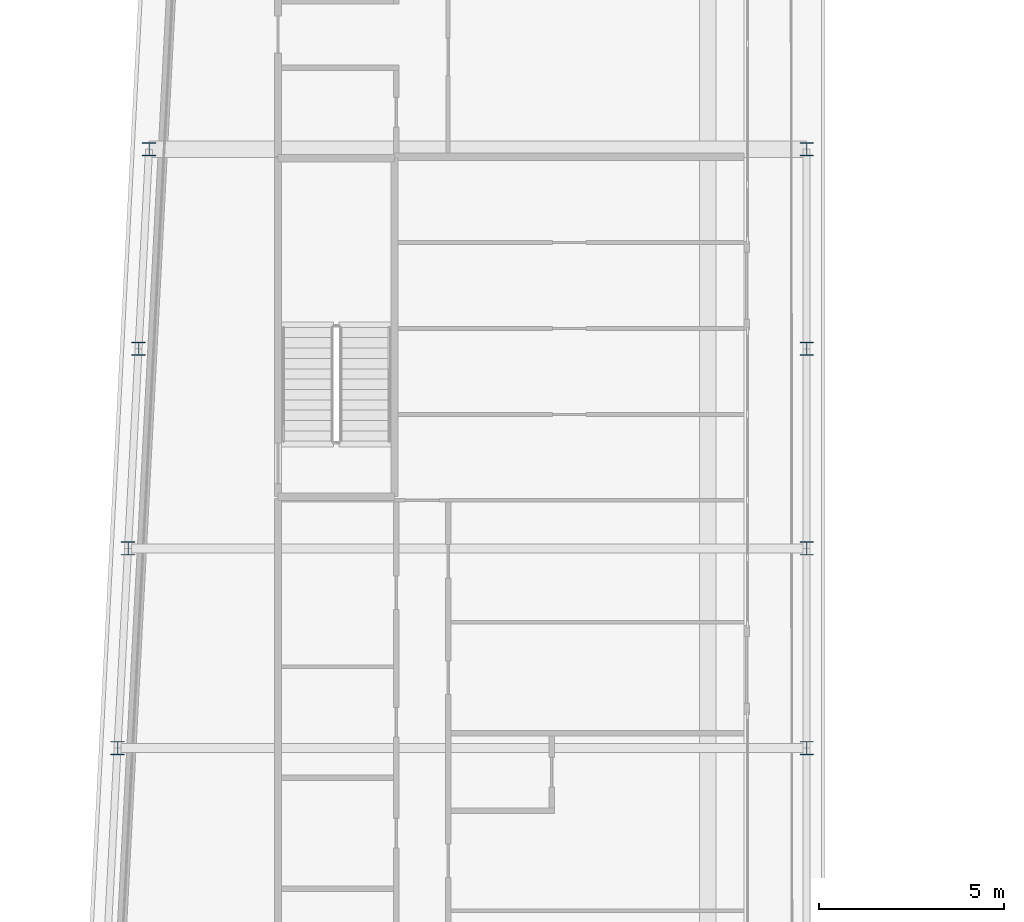
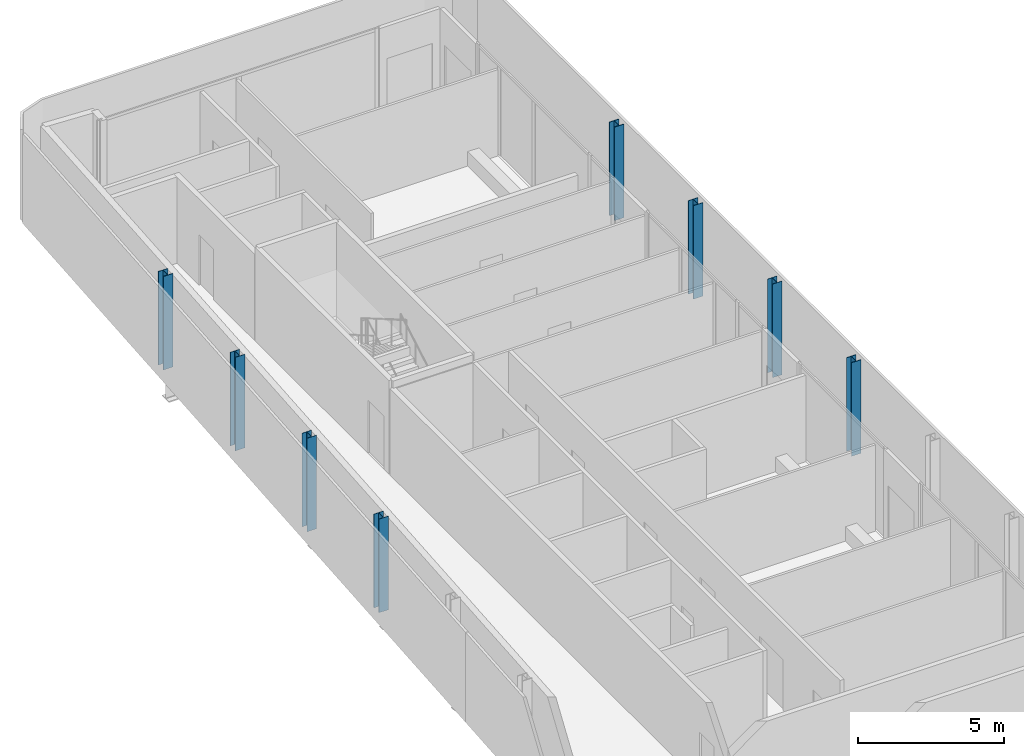
# One storey, part 3 of 18: 8 columns.
"""IFC4 building model written with IfcOpenShell, lengths in metres."""

from ifc_helpers import new_model, si_unit, direction, frame, origin, origin_2d, place, context, subcontext, project, spatial, i_section, extrude, material, material_profile, profile_set, type_object, element, save


model = new_model("IFC4")

# Units and contexts
model_context = context("Model", 3, precision=1e-05, world=origin(), true_north=direction((0.0, 1.0)))
body_context = subcontext(model_context, "Body", "Model", "MODEL_VIEW")
ifc_project = project(units=[si_unit("LENGTHUNIT", "METRE"), si_unit("AREAUNIT", "SQUARE_METRE"), si_unit("VOLUMEUNIT", "CUBIC_METRE"), si_unit("PLANEANGLEUNIT", "RADIAN"), si_unit("MASSUNIT", "GRAM", prefix="KILO")], contexts=[model_context])

# Site, building, storey
site_placement = place(None, origin())
site = spatial("IfcSite", under=ifc_project, at=site_placement, CompositionType="ELEMENT")
building_placement = place(site_placement, origin())
building = spatial("IfcBuilding", under=site, at=building_placement, Name="Kheshtan School and Residences Tower", CompositionType="ELEMENT")
storey_placement = place(building_placement, frame((0.0, 0.0, 381.199951171875)))
storey = spatial("IfcBuildingStorey", under=building, at=storey_placement, Name="L90", CompositionType="ELEMENT", Elevation=381.199951171875)

# Columns
ifc_material = material(Name="Steel ASTM A992 Grade 50", Category="steel")
ifc_material_profile = material_profile(ifc_material, i_section(OverallWidth=0.37109375, OverallDepth=0.364013671875, WebThickness=0.01318359375, FlangeThickness=0.021728515625, FilletRadius=0.010986328125, at=origin_2d()), Name="W360x162")
ifc_profile_set = profile_set([ifc_material_profile], Name="Steel ASTM A992 Grade 50")
column_type = type_object("IfcColumnType", Name="Column C6 W360x162 ASTM A992 Grade 50", PredefinedType="COLUMN", material=ifc_profile_set)
for number, where, z_axis, x_axis, name in (
    (1, (28.9580078125, 72.60009765625, 0.0), (0.0, 0.0, 1.0), (1.0, 0.0, 0.0), "Column C086"),
    (2, (47.60009765625, 72.60009765625, 0.0), (0.0, 0.0, 1.0), (1.0, 0.0, 0.0), "Column C087"),
    (3, (29.242919921875, 78.0, 0.0), (0.0, 0.0, 1.0), (1.0, 0.0, 0.0), "Column C088"),
    (4, (47.60009765625, 78.0, 0.0), (0.0, 0.0, 1.0), (1.0, 0.0, 0.0), "Column C089"),
    (5, (29.527099609375, 83.39990234375, 0.0), (0.0, 0.0, 1.0), (1.0, 0.0, 0.0), "Column C090"),
    (6, (47.60009765625, 83.39990234375, 0.0), (0.0, 0.0, 1.0), (1.0, 0.0, 0.0), "Column C091"),
    (7, (29.81103515625, 88.800048828125, 0.0), (0.0, 0.0, 1.0), (1.0, 0.0, 0.0), "Column C098"),
    (8, (47.60009765625, 88.800048828125, 0.0), (0.0, 0.0, 1.0), (1.0, 0.0, 0.0), "Column C099"),
):
    element("IfcColumn", number, at=place(storey_placement, frame(where, z_axis=z_axis, x_axis=x_axis)), inside=storey, type_object=column_type, Name=name, PredefinedType="COLUMN", context=body_context, shape_type="SweptSolid", body=[
        extrude(i_section(OverallWidth=0.37109375, OverallDepth=0.364013671875, WebThickness=0.01318359375, FlangeThickness=0.021728515625, FilletRadius=0.010986328125, at=origin_2d()), origin(), (0.0, 0.0, 1.0), 3.900146484375),
    ])

save(model, "model.ifc")
